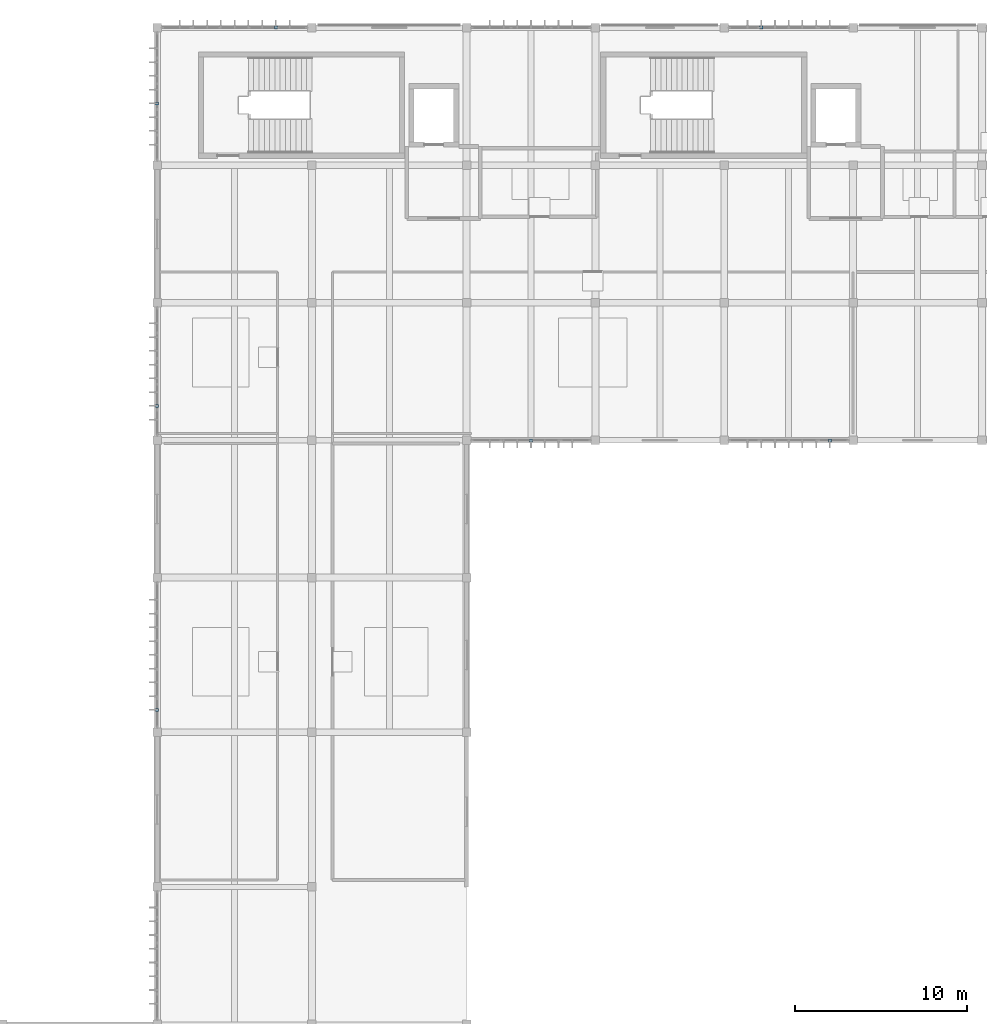
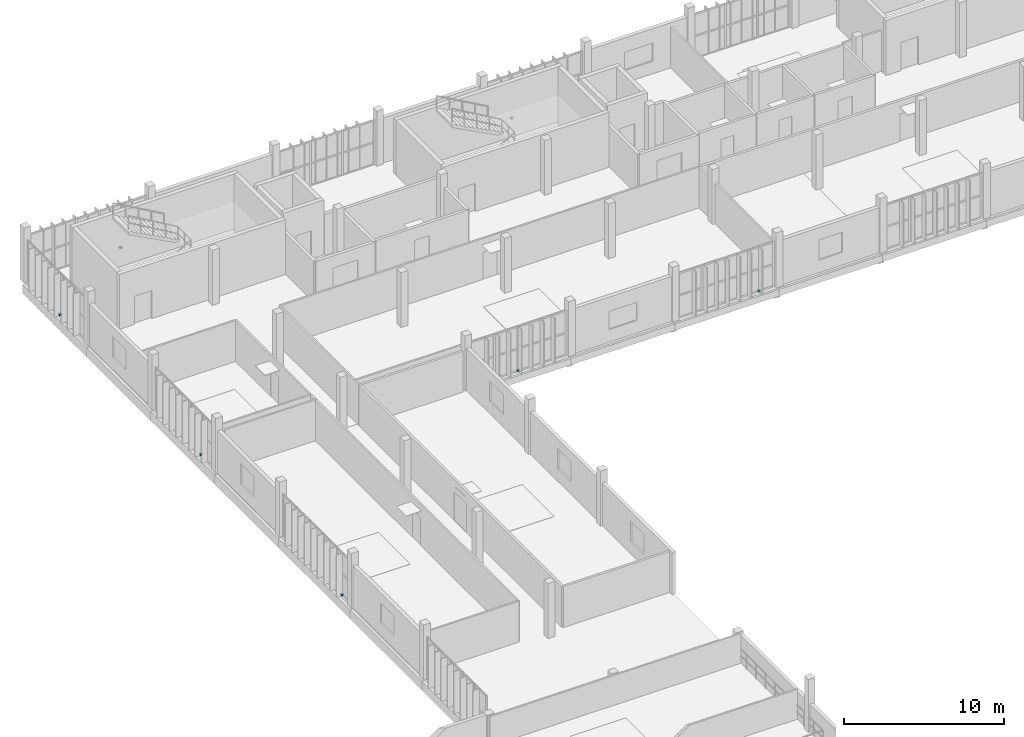
# One storey, part 22 of 27: 7 discrete accessories.
"""IFC4 building model written with IfcOpenShell, lengths in metres."""

from ifc_helpers import new_model, si_unit, direction, frame, origin, origin_2d, place, context, subcontext, project, spatial, rectangle, extrude, material, type_object, element, save


model = new_model("IFC4")

# Units and contexts
model_context = context("Model", 3, precision=1e-05, world=origin(), true_north=direction((0.0, 1.0)))
body_context = subcontext(model_context, "Body", "Model", "MODEL_VIEW")
ifc_project = project(units=[si_unit("LENGTHUNIT", "METRE"), si_unit("AREAUNIT", "SQUARE_METRE"), si_unit("VOLUMEUNIT", "CUBIC_METRE"), si_unit("PLANEANGLEUNIT", "RADIAN"), si_unit("MASSUNIT", "GRAM", prefix="KILO")], contexts=[model_context])

# Site, building, storey
site_placement = place(None, origin())
site = spatial("IfcSite", under=ifc_project, at=site_placement, CompositionType="ELEMENT")
building_placement = place(site_placement, origin())
building = spatial("IfcBuilding", under=site, at=building_placement, Name="Vourika Railside Aquatics Centre", CompositionType="ELEMENT")
storey_placement = place(building_placement, frame((0.0, 0.0, 13.5)))
storey = spatial("IfcBuildingStorey", under=building, at=storey_placement, Name="L03", CompositionType="ELEMENT", Elevation=13.5)

# Discrete accessories
ifc_material = material(Name="Duplex stainless steel EN 1.4462", Category="steel")
discrete_accessory_type = type_object("IfcDiscreteAccessoryType", Name="ACC-BRK-180", PredefinedType="BRACKET", material=ifc_material)
for number, where, z_axis, x_axis, name in (
    (1, (24.89990234375, 116.030029296875, 0.0), (0.0, 0.0, 1.0), (0.0, 1.0, 0.0), "Stainless Fin Shoe Bracket BK-102"),
    (2, (53.14990234375, 116.030029296875, 0.0), (0.0, 0.0, 1.0), (0.0, 1.0, 0.0), "Stainless Fin Shoe Bracket BK-103"),
    (3, (39.75, 91.969970703125, 0.0), (0.0, 0.0, 1.0), (0.0, -1.0, 0.0), "Stainless Fin Shoe Bracket BK-106"),
    (4, (57.14990234375, 91.969970703125, 0.0), (0.0, 0.0, 1.0), (0.0, -1.0, 0.0), "Stainless Fin Shoe Bracket BK-107"),
    (5, (17.969970703125, 76.300048828125, 0.0), (0.0, 0.0, 1.0), (-1.0, 0.0, 0.0), "Stainless Fin Shoe Bracket BK-110"),
    (6, (17.969970703125, 94.0, 0.0), (0.0, 0.0, 1.0), (-1.0, 0.0, 0.0), "Stainless Fin Shoe Bracket BK-111"),
    (7, (17.969970703125, 111.60009765625, 0.0), (0.0, 0.0, 1.0), (-1.0, 0.0, 0.0), "Stainless Fin Shoe Bracket BK-112"),
):
    element("IfcDiscreteAccessory", number, at=place(storey_placement, frame(where, z_axis=z_axis, x_axis=x_axis)), inside=storey, type_object=discrete_accessory_type, Name=name, PredefinedType="BRACKET", context=body_context, shape_type="SweptSolid", body=[
        extrude(rectangle(XDim=0.179931640625, YDim=0.179931640625, at=origin_2d()), origin(), (0.0, 0.0, 1.0), 0.1201171875),
    ])

save(model, "model.ifc")
